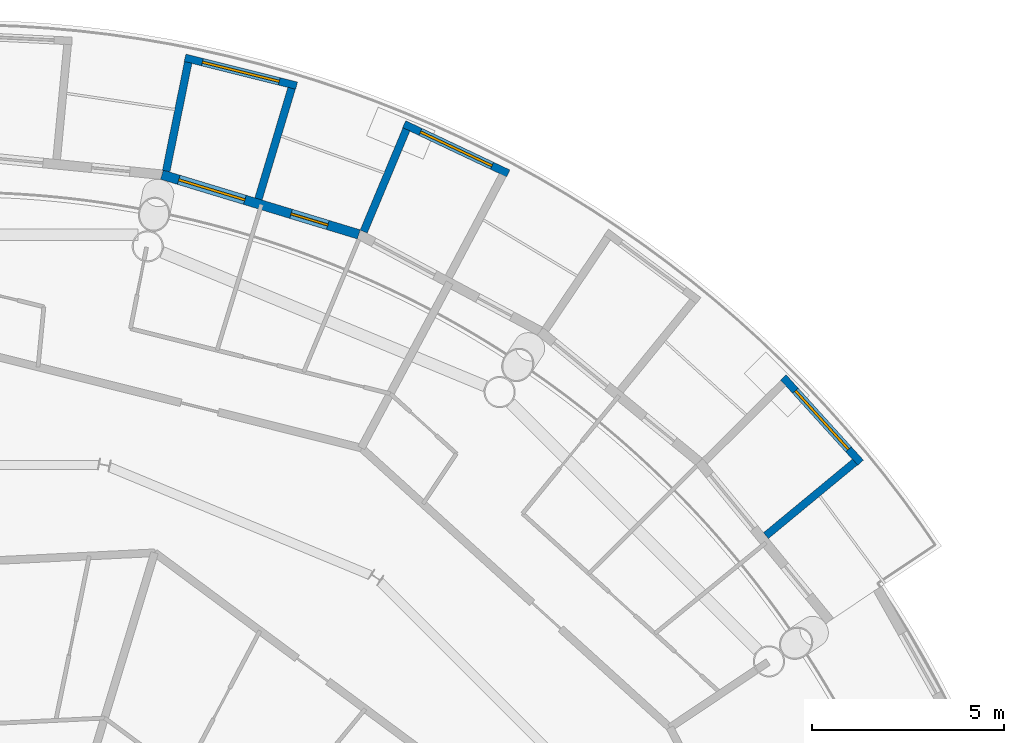
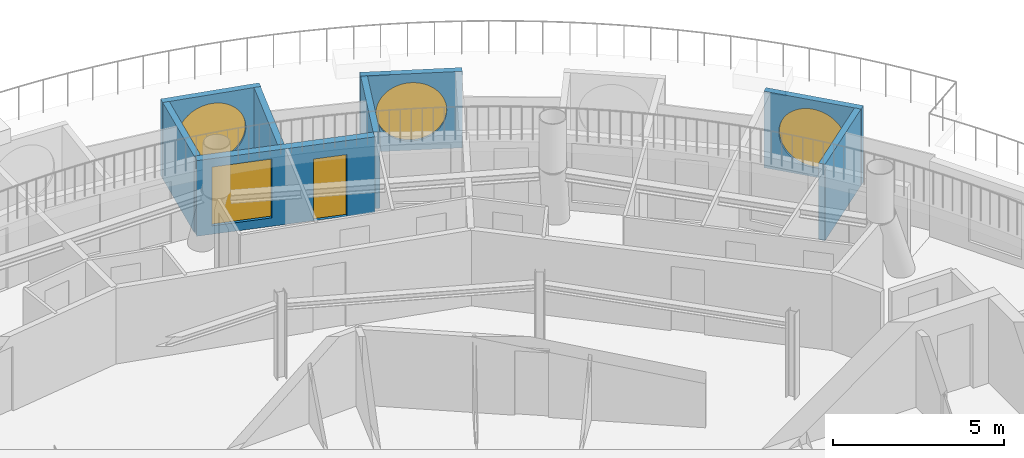
# One storey, part 24 of 29: 8 walls, 4 windows, 1 door, 5 openings.
"""IFC4 building model written with IfcOpenShell, lengths in metres."""

from ifc_helpers import new_model, si_unit, direction, frame, frame_2d, origin, place, context, subcontext, project, spatial, rectangle, circle, extrude, material, layer, layer_set, type_object, element, fill, save


model = new_model("IFC4")

# Units and contexts
model_context = context("Model", 3, precision=1e-05, world=origin(), true_north=direction((0.0, 1.0)))
body_context = subcontext(model_context, "Body", "Model", "MODEL_VIEW")
ifc_project = project(units=[si_unit("LENGTHUNIT", "METRE"), si_unit("AREAUNIT", "SQUARE_METRE"), si_unit("VOLUMEUNIT", "CUBIC_METRE"), si_unit("PLANEANGLEUNIT", "RADIAN"), si_unit("MASSUNIT", "GRAM", prefix="KILO")], contexts=[model_context])

# Site, building, storey
site_placement = place(None, origin())
site = spatial("IfcSite", under=ifc_project, at=site_placement, CompositionType="ELEMENT")
building_placement = place(site_placement, origin())
building = spatial("IfcBuilding", under=site, at=building_placement, Name="Maasbend Ring Residences", CompositionType="ELEMENT")
storey_placement = place(building_placement, frame((0.0, 0.0, 234.050048828125)))
storey = spatial("IfcBuildingStorey", under=building, at=storey_placement, Name="L67", CompositionType="ELEMENT", Elevation=234.050048828125)

# Wall, opening, window
ifc_material_1 = material(Name="Pale anodised aluminium panel", Category="aluminium")
ifc_layer_1 = layer(ifc_material_1, 0.199951171875)
ifc_layer_set_1 = layer_set([ifc_layer_1], Name="EW-BOX")
wall_type_1 = type_object("IfcWallType", Name="EW-BOX", PredefinedType="SOLIDWALL", material=ifc_layer_set_1)
wall_1_placement = place(storey_placement, frame((23.5029296875, 19.281982421875, -0.030029296875), z_axis=(0.0, 0.0, 1.0), x_axis=(-0.671506829416, 0.740998365753, 0.0)))
wall_1 = element("IfcWall", 1, at=wall_1_placement, inside=storey, type_object=wall_type_1, Name="Box front N02", PredefinedType="SOLIDWALL", context=body_context, shape_type="SweptSolid", body=[
    extrude(rectangle(XDim=2.9931640625, YDim=0.199951171875, at=frame_2d((1.49658203125, 0.0))), origin(), (0.0, 0.0, 1.0), 2.72998046875),
])
opening_1_placement = place(wall_1_placement, frame((0.45654296875, 0.0, 0.330078125)))
opening_1 = element("IfcOpeningElement", 2, at=opening_1_placement, cuts=wall_1, Name="Opening W-RD", PredefinedType="OPENING", context=body_context, shape_type="SweptSolid", body=[
    extrude(circle(Radius=1.0400390625, at=frame_2d((1.0400390625, 1.0400390625))), frame((0.0, 0.10986328125, 0.0), z_axis=(0.0, -1.0, 0.0), x_axis=(1.0, 0.0, 0.0)), (0.0, 0.0, 1.0), 0.219970703125),
])
ifc_material_2 = material(Name="Aluminium and clear glass", Category="aluminium")
window_type_1 = type_object("IfcWindowType", Name="W-RD", PartitioningType="SINGLE_PANEL", PredefinedType="WINDOW", material=ifc_material_2)
window_1_placement = place(opening_1_placement, origin())
window_1 = element("IfcWindow", 3, at=window_1_placement, inside=storey, type_object=window_type_1, Name="Round window N02", OverallHeight=2.080078125, OverallWidth=2.080078125, PartitioningType="SINGLE_PANEL", PredefinedType="WINDOW", context=body_context, shape_type="SweptSolid", body=[
    extrude(circle(Radius=1.0400390625, at=frame_2d((1.0400390625, 1.0400390625))), frame((0.0, 0.030029296875, 0.0), z_axis=(0.0, -1.0, 0.0), x_axis=(1.0, 0.0, 0.0)), (0.0, 0.0, 1.0), 0.06005859375),
])
fill(opening_1, window_1)

# Wall
wall_2_placement = place(storey_placement, frame((21.041015625, 17.384033203125, -0.030029296875), z_axis=(0.0, 0.0, 1.0), x_axis=(0.770784861449, 0.63709551667, 0.0)))
element("IfcWall", 4, at=wall_2_placement, inside=storey, type_object=wall_type_1, Name="Box side wall N02 left", PredefinedType="SOLIDWALL", context=body_context, shape_type="SweptSolid", body=[
    extrude(rectangle(XDim=3.005859375, YDim=0.199951171875, at=frame_2d((1.5029296875, 0.0))), origin(), (0.0, 0.0, 1.0), 2.72998046875),
])

# Wall, opening, window
wall_3_placement = place(storey_placement, frame((14.3349609375, 26.80810546875, -0.030029296875), z_axis=(0.0, 0.0, 1.0), x_axis=(-0.904000060331, 0.427532327342, 0.0)))
wall_3 = element("IfcWall", 5, at=wall_3_placement, inside=storey, type_object=wall_type_1, Name="Box front N06", PredefinedType="SOLIDWALL", context=body_context, shape_type="SweptSolid", body=[
    extrude(rectangle(XDim=2.993408203125, YDim=0.199951171875, at=frame_2d((1.49658203125, 0.0))), origin(), (0.0, 0.0, 1.0), 2.72998046875),
])
opening_2_placement = place(wall_3_placement, frame((0.45654296875, 0.0, 0.330078125)))
opening_2 = element("IfcOpeningElement", 6, at=opening_2_placement, cuts=wall_3, Name="Opening W-RD", PredefinedType="OPENING", context=body_context, shape_type="SweptSolid", body=[
    extrude(circle(Radius=1.0400390625, at=frame_2d((1.0400390625, 1.0400390625))), frame((0.0, 0.10986328125, 0.0), z_axis=(0.0, -1.0, 0.0), x_axis=(1.0, 0.0, 0.0)), (0.0, 0.0, 1.0), 0.219970703125),
])
window_2_placement = place(opening_2_placement, origin())
window_2 = element("IfcWindow", 7, at=window_2_placement, inside=storey, type_object=window_type_1, Name="Round window N06", OverallHeight=2.080078125, OverallWidth=2.080078125, PartitioningType="SINGLE_PANEL", PredefinedType="WINDOW", context=body_context, shape_type="SweptSolid", body=[
    extrude(circle(Radius=1.0400390625, at=frame_2d((1.0400390625, 1.0400390625))), frame((0.0, 0.030029296875, 0.0), z_axis=(0.0, -1.0, 0.0), x_axis=(1.0, 0.0, 0.0)), (0.0, 0.0, 1.0), 0.06005859375),
])
fill(opening_2, window_2)

# Wall
wall_4_placement = place(storey_placement, frame((10.574951171875, 25.294921875, -0.030029296875), z_axis=(0.0, 0.0, 1.0), x_axis=(0.385697364644, 0.922625353492, 0.0)))
element("IfcWall", 8, at=wall_4_placement, inside=storey, type_object=wall_type_1, Name="Box side wall N06 right", PredefinedType="SOLIDWALL", context=body_context, shape_type="SweptSolid", body=[
    extrude(rectangle(XDim=2.88330078125, YDim=0.199951171875, at=frame_2d((1.441650390625, 0.0))), origin(), (0.0, 0.0, 1.0), 2.72998046875),
])

# Wall, opening, window
wall_5_placement = place(storey_placement, frame((8.8291015625, 29.090087890625, -0.030029296875), z_axis=(0.0, 0.0, 1.0), x_axis=(-0.970060865847, 0.24286192899, 0.0)))
wall_5 = element("IfcWall", 9, at=wall_5_placement, inside=storey, type_object=wall_type_1, Name="Box front N08", PredefinedType="SOLIDWALL", context=body_context, shape_type="SweptSolid", body=[
    extrude(rectangle(XDim=2.99267578125, YDim=0.199951171875, at=frame_2d((1.496337890625, 0.0))), origin(), (0.0, 0.0, 1.0), 2.72998046875),
])
opening_3_placement = place(wall_5_placement, frame((0.45654296875, 0.0, 0.330078125)))
opening_3 = element("IfcOpeningElement", 10, at=opening_3_placement, cuts=wall_5, Name="Opening W-RD", PredefinedType="OPENING", context=body_context, shape_type="SweptSolid", body=[
    extrude(circle(Radius=1.0400390625, at=frame_2d((1.0400390625, 1.0400390625))), frame((0.0, 0.10986328125, 0.0), z_axis=(0.0, -1.0, 0.0), x_axis=(1.0, 0.0, 0.0)), (0.0, 0.0, 1.0), 0.219970703125),
])
window_3_placement = place(opening_3_placement, origin())
window_3 = element("IfcWindow", 11, at=window_3_placement, inside=storey, type_object=window_type_1, Name="Round window N08", OverallHeight=2.080078125, OverallWidth=2.080078125, PartitioningType="SINGLE_PANEL", PredefinedType="WINDOW", context=body_context, shape_type="SweptSolid", body=[
    extrude(circle(Radius=1.0400390625, at=frame_2d((1.0400390625, 1.0400390625))), frame((0.0, 0.030029296875, 0.0), z_axis=(0.0, -1.0, 0.0), x_axis=(1.0, 0.0, 0.0)), (0.0, 0.0, 1.0), 0.06005859375),
])
fill(opening_3, window_3)

# Walls
wall_6_placement = place(storey_placement, frame((7.8369140625, 26.14404296875, -0.030029296875), z_axis=(0.0, 0.0, 1.0), x_axis=(0.287064767992, 0.957911174889, 0.0)))
element("IfcWall", 12, at=wall_6_placement, inside=storey, type_object=wall_type_1, Name="Box side wall N08 left", PredefinedType="SOLIDWALL", context=body_context, shape_type="SweptSolid", body=[
    extrude(rectangle(XDim=3.00634765625, YDim=0.199951171875, at=frame_2d((1.503173828125, 0.0))), origin(), (0.0, 0.0, 1.0), 2.72998046875),
])
wall_7_placement = place(storey_placement, frame((5.43701171875, 26.8720703125, -0.030029296875), z_axis=(0.0, 0.0, 1.0), x_axis=(0.198395337493, 0.980122079162, 0.0)))
element("IfcWall", 13, at=wall_7_placement, inside=storey, type_object=wall_type_1, Name="Box side wall N08 right", PredefinedType="SOLIDWALL", context=body_context, shape_type="SweptSolid", body=[
    extrude(rectangle(XDim=2.88330078125, YDim=0.199951171875, at=frame_2d((1.441650390625, 0.0))), origin(), (0.0, 0.0, 1.0), 2.72998046875),
])

# Wall, openings, door, window
ifc_material_3 = material(Name="Aluminium clad insulated panel", Category="aluminium")
ifc_layer_2 = layer(ifc_material_3, 0.25)
ifc_layer_set_2 = layer_set([ifc_layer_2], Name="EW-GL")
wall_type_2 = type_object("IfcWallType", Name="EW-GL", PredefinedType="SOLIDWALL", material=ifc_layer_set_2)
wall_8_placement = place(storey_placement, frame((10.447021484375, 25.221923828125, 0.0), z_axis=(0.0, 0.0, 1.0), x_axis=(-0.956965678721, 0.290201119486, 0.0)))
wall_8 = element("IfcWall", 14, at=wall_8_placement, inside=storey, type_object=wall_type_2, Name="External wall N04", PredefinedType="SOLIDWALL", context=body_context, shape_type="SweptSolid", body=[
    extrude(rectangle(XDim=5.351318359375, YDim=0.25, at=frame_2d((2.67578125, 0.0))), origin(), (0.0, 0.0, 1.0), 2.699951171875),
])
opening_4_placement = place(wall_8_placement, frame((0.841064453125, 0.0, 0.0)))
opening_4 = element("IfcOpeningElement", 15, at=opening_4_placement, cuts=wall_8, Name="Opening D-LG", PredefinedType="OPENING", context=body_context, shape_type="SweptSolid", body=[
    extrude(rectangle(XDim=1.0, YDim=2.199951171875, at=frame_2d((0.5, 1.10009765625))), frame((0.0, 0.135009765625, 0.0), z_axis=(0.0, -1.0, 0.0), x_axis=(1.0, 0.0, 0.0)), (0.0, 0.0, 1.0), 0.27001953125),
])
opening_5_placement = place(wall_8_placement, frame((3.095947265625, 0.0, 0.300048828125)))
opening_5 = element("IfcOpeningElement", 16, at=opening_5_placement, cuts=wall_8, Name="Opening W-BX", PredefinedType="OPENING", context=body_context, shape_type="SweptSolid", body=[
    extrude(rectangle(XDim=1.800048828125, YDim=2.10009765625, at=frame_2d((0.89990234375, 1.050048828125))), frame((0.0, 0.135009765625, 0.0), z_axis=(0.0, -1.0, 0.0), x_axis=(1.0, 0.0, 0.0)), (0.0, 0.0, 1.0), 0.27001953125),
])
ifc_material_4 = material(Name="Aluminium and clear glass", Category="aluminium")
door_type = type_object("IfcDoorType", Name="D-LG", OperationType="SINGLE_SWING_LEFT", PredefinedType="DOOR", material=ifc_material_4)
door_placement = place(opening_4_placement, origin())
door = element("IfcDoor", 17, at=door_placement, inside=storey, type_object=door_type, Name="Loggia door N07", OperationType="SINGLE_SWING_LEFT", OverallHeight=2.199951171875, OverallWidth=1.0, PredefinedType="DOOR", context=body_context, shape_type="SweptSolid", body=[
    extrude(rectangle(XDim=1.0, YDim=2.199951171875, at=frame_2d((0.5, 1.10009765625))), frame((0.0, 0.02490234375, 0.0), z_axis=(0.0, -1.0, 0.0), x_axis=(1.0, 0.0, 0.0)), (0.0, 0.0, 1.0), 0.050048828125),
])
fill(opening_4, door)
ifc_material_5 = material(Name="Aluminium and clear glass", Category="aluminium")
window_type_2 = type_object("IfcWindowType", Name="W-BX", PartitioningType="DOUBLE_PANEL_VERTICAL", PredefinedType="WINDOW", material=ifc_material_5)
window_4_placement = place(opening_5_placement, origin())
window_4 = element("IfcWindow", 18, at=window_4_placement, inside=storey, type_object=window_type_2, Name="Window N08 room to box", OverallHeight=2.10009765625, OverallWidth=1.800048828125, PartitioningType="SINGLE_PANEL", PredefinedType="WINDOW", context=body_context, shape_type="SweptSolid", body=[
    extrude(rectangle(XDim=1.800048828125, YDim=2.10009765625, at=frame_2d((0.89990234375, 1.050048828125))), frame((0.0, 0.030029296875, 0.0), z_axis=(0.0, -1.0, 0.0), x_axis=(1.0, 0.0, 0.0)), (0.0, 0.0, 1.0), 0.06005859375),
])
fill(opening_5, window_4)

save(model, "model.ifc")
